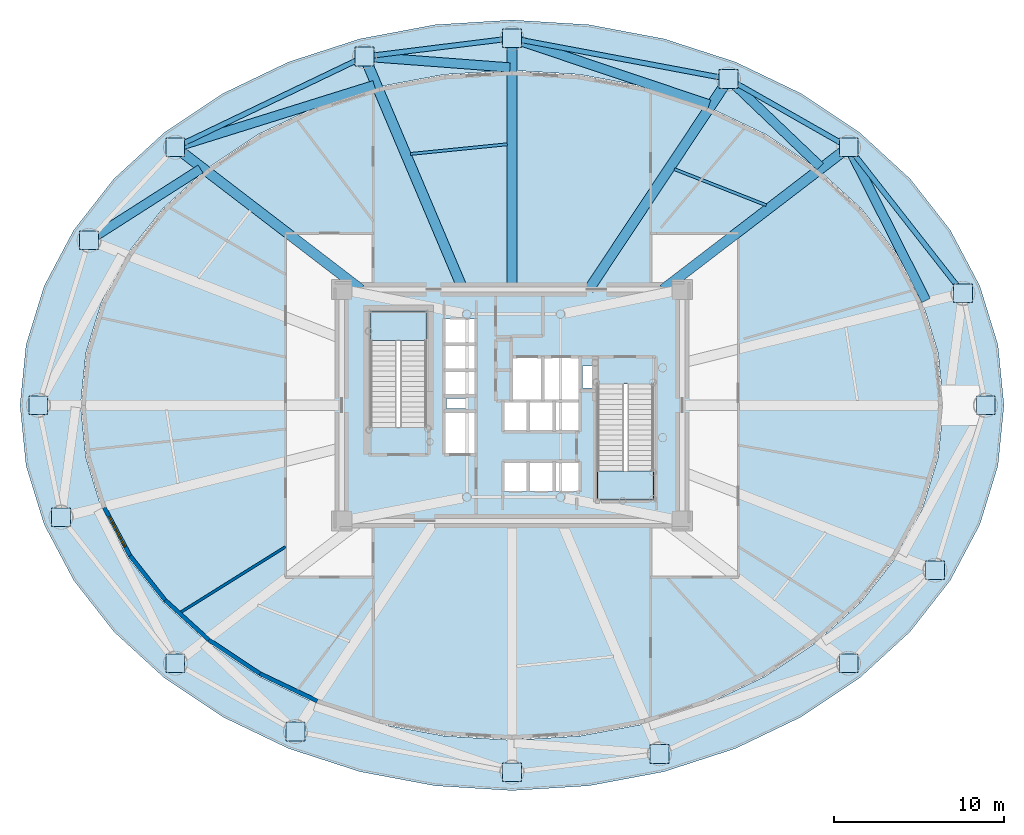
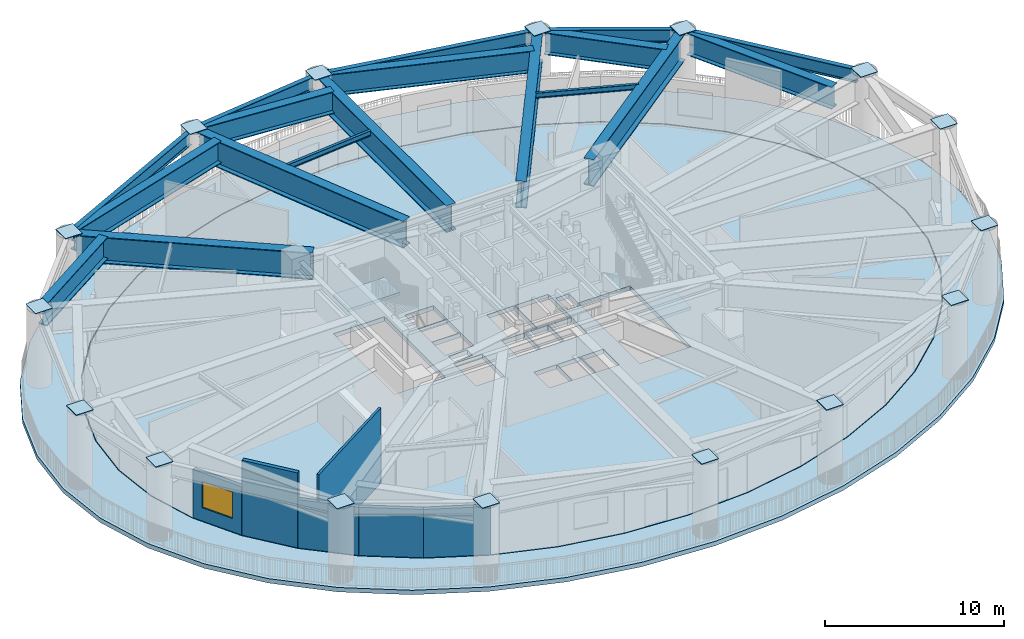
# One storey, part 4 of 15: 18 beams, 16 plates, 6 walls, 4 slabs, 1 window, 1 opening, 2 elements without a shape of their own.
"""IFC4 building model written with IfcOpenShell, lengths in metres."""

from ifc_helpers import new_model, si_unit, direction, frame, frame_2d, origin, origin_2d, place, context, subcontext, project, spatial, polyline, rectangle, i_section, outline, extrude, source, transform, mapped, material, layer, layer_set, material_profile, profile_set, type_object, element, fill, aggregate, save


model = new_model("IFC4")

# Units and contexts
model_context = context("Model", 3, precision=1e-05, world=origin(), true_north=direction((0.0, 1.0)))
body_context = subcontext(model_context, "Body", "Model", "MODEL_VIEW")
ifc_project = project(units=[si_unit("LENGTHUNIT", "METRE"), si_unit("AREAUNIT", "SQUARE_METRE"), si_unit("VOLUMEUNIT", "CUBIC_METRE"), si_unit("PLANEANGLEUNIT", "RADIAN"), si_unit("MASSUNIT", "GRAM", prefix="KILO")], contexts=[model_context])

# Site, building, storey
site_placement = place(None, origin())
site = spatial("IfcSite", under=ifc_project, at=site_placement, CompositionType="ELEMENT")
building_placement = place(site_placement, origin())
building = spatial("IfcBuilding", under=site, at=building_placement, Name="Linh Dai School and Residence Tower", CompositionType="ELEMENT")
storey_placement = place(building_placement, frame((0.0, 0.0, 145.949951171875)))
storey = spatial("IfcBuildingStorey", under=building, at=storey_placement, Name="L35", CompositionType="ELEMENT", Elevation=145.949951171875)

# Beams
ifc_material_1 = material(Name="Structural Steel S355JR", Category="steel")
ifc_material_profile_1 = material_profile(ifc_material_1, i_section(OverallWidth=0.300048828125, OverallDepth=0.89990234375, WebThickness=0.0185546875, FlangeThickness=0.034912109375, FilletRadius=0.030029296875, at=origin_2d()), Name="HEB 900")
ifc_profile_set_1 = profile_set([ifc_material_profile_1], Name="Structural Steel S355JR")
beam_type_1 = type_object("IfcBeamType", Name="BM-RG9", PredefinedType="BEAM", material=ifc_profile_set_1)
beam_1_placement = place(storey_placement, frame((62.233642578125, 33.91162109375, 4.650146484375), z_axis=(-0.616854830973, 0.787076945098, 0.0), x_axis=(-0.787076945098, -0.616854830973, 0.0)))
element("IfcBeam", 1, at=beam_1_placement, inside=storey, type_object=beam_type_1, Name="L35 Perimeter Elliptical Ring Beam 02", PredefinedType="BEAM", context=body_context, shape_type="SweptSolid", body=[
    extrude(i_section(OverallWidth=0.300048828125, OverallDepth=0.89990234375, WebThickness=0.0185546875, FlangeThickness=0.034912109375, FilletRadius=0.030029296875, at=origin_2d()), origin(), (0.0, 0.0, 1.0), 10.053955078125),
])
beam_2_placement = place(storey_placement, frame((55.407470703125, 42.363037109375, 4.650146484375), z_axis=(-0.86927031475, 0.494337050902, 0.0), x_axis=(-0.494337050902, -0.86927031475, 0.0)))
element("IfcBeam", 2, at=beam_2_placement, inside=storey, type_object=beam_type_1, Name="L35 Perimeter Elliptical Ring Beam 03", PredefinedType="BEAM", context=body_context, shape_type="SweptSolid", body=[
    extrude(i_section(OverallWidth=0.300048828125, OverallDepth=0.89990234375, WebThickness=0.0185546875, FlangeThickness=0.034912109375, FilletRadius=0.030029296875, at=origin_2d()), origin(), (0.0, 0.0, 1.0), 7.270751953125),
])
beam_3_placement = place(storey_placement, frame((48.30908203125, 46.24267578125, 4.650146484375), z_axis=(-0.982807507457, 0.184633158685, 0.0), x_axis=(-0.184633158685, -0.982807507457, 0.0)))
element("IfcBeam", 3, at=beam_3_placement, inside=storey, type_object=beam_type_1, Name="L35 Perimeter Elliptical Ring Beam 04", PredefinedType="BEAM", context=body_context, shape_type="SweptSolid", body=[
    extrude(i_section(OverallWidth=0.300048828125, OverallDepth=0.89990234375, WebThickness=0.0185546875, FlangeThickness=0.034912109375, FilletRadius=0.030029296875, at=origin_2d()), origin(), (0.0, 0.0, 1.0), 12.104248046875),
])
beam_4_placement = place(storey_placement, frame((35.583251953125, 48.50341796875, 4.650146484375), z_axis=(-0.992399234854, -0.123059979933, 0.0), x_axis=(0.123059979933, -0.992399234854, 0.0)))
element("IfcBeam", 4, at=beam_4_placement, inside=storey, type_object=beam_type_1, Name="L35 Perimeter Elliptical Ring Beam 05", PredefinedType="BEAM", context=body_context, shape_type="SweptSolid", body=[
    extrude(i_section(OverallWidth=0.300048828125, OverallDepth=0.89990234375, WebThickness=0.0185546875, FlangeThickness=0.034912109375, FilletRadius=0.030029296875, at=origin_2d()), origin(), (0.0, 0.0, 1.0), 7.89208984375),
])
beam_5_placement = place(storey_placement, frame((26.955810546875, 47.299072265625, 4.650146484375), z_axis=(-0.901715153312, -0.432330640005, 0.0), x_axis=(0.432330640005, -0.901715153312, 0.0)))
element("IfcBeam", 5, at=beam_5_placement, inside=storey, type_object=beam_type_1, Name="L35 Perimeter Elliptical Ring Beam 06", PredefinedType="BEAM", context=body_context, shape_type="SweptSolid", body=[
    extrude(i_section(OverallWidth=0.300048828125, OverallDepth=0.89990234375, WebThickness=0.0185546875, FlangeThickness=0.034912109375, FilletRadius=0.030029296875, at=origin_2d()), origin(), (0.0, 0.0, 1.0), 11.477783203125),
])
ifc_material_profile_2 = material_profile(ifc_material_1, i_section(OverallWidth=0.169921875, OverallDepth=0.360107421875, WebThickness=0.008056640625, FlangeThickness=0.0126953125, FilletRadius=0.01806640625, at=origin_2d()), Name="IPE 360")
ifc_profile_set_2 = profile_set([ifc_material_profile_2], Name="Structural Steel S355JR")
beam_type_2 = type_object("IfcBeamType", Name="BM-SB36", PredefinedType="BEAM", material=ifc_profile_set_2)
beam_6_placement = place(storey_placement, frame((50.93359375, 38.74853515625, 4.920166015625), z_axis=(-0.930749446939, 0.365657581655, 0.0), x_axis=(-0.365657581655, -0.930749446939, 0.0)))
element("IfcBeam", 6, at=beam_6_placement, inside=storey, type_object=beam_type_2, Name="L35 Secondary Circumferential Floor Beam 02", PredefinedType="BEAM", context=body_context, shape_type="SweptSolid", body=[
    extrude(i_section(OverallWidth=0.169921875, OverallDepth=0.360107421875, WebThickness=0.008056640625, FlangeThickness=0.0126953125, FilletRadius=0.01806640625, at=origin_2d()), origin(), (0.0, 0.0, 1.0), 5.800048828125),
])
beam_7_placement = place(storey_placement, frame((35.721435546875, 42.330078125, 4.920166015625), z_axis=(-0.995043119756, -0.099444405707, 0.0), x_axis=(0.099444405707, -0.995043119756, 0.0)))
element("IfcBeam", 7, at=beam_7_placement, inside=storey, type_object=beam_type_2, Name="L35 Secondary Circumferential Floor Beam 03", PredefinedType="BEAM", context=body_context, shape_type="SweptSolid", body=[
    extrude(i_section(OverallWidth=0.169921875, OverallDepth=0.360107421875, WebThickness=0.008056640625, FlangeThickness=0.0126953125, FilletRadius=0.01806640625, at=origin_2d()), origin(), (0.0, 0.0, 1.0), 5.70556640625),
])
ifc_material_profile_3 = material_profile(ifc_material_1, i_section(OverallWidth=0.550048828125, OverallDepth=1.5, WebThickness=0.028076171875, FlangeThickness=0.050048828125, at=origin_2d()), Name="PG 1500x550x28x50")
ifc_profile_set_3 = profile_set([ifc_material_profile_3], Name="Structural Steel S355JR")
beam_type_3 = type_object("IfcBeamType", Name="BM-TG15", PredefinedType="BEAM", material=ifc_profile_set_3)
beam_8_placement = place(storey_placement, frame((60.3203125, 33.16064453125, 4.35009765625), z_axis=(-0.451202753372, 0.892421467329, 0.0), x_axis=(-0.892421467329, -0.451202753372, 0.0)))
element("IfcBeam", 8, at=beam_8_placement, inside=storey, type_object=beam_type_3, Name="L35 Setback Diaphragm Transfer Girder 02", PredefinedType="BEAM", context=body_context, shape_type="SweptSolid", body=[
    extrude(i_section(OverallWidth=0.550048828125, OverallDepth=1.5, WebThickness=0.028076171875, FlangeThickness=0.050048828125, at=origin_2d()), origin(), (0.0, 0.0, 1.0), 9.658935546875),
])
beam_9_placement = place(storey_placement, frame((54.105712890625, 41.024658203125, 4.35009765625), z_axis=(-0.723271891006, 0.690563372675, 0.0), x_axis=(-0.690563372675, -0.723271891006, 0.0)))
element("IfcBeam", 9, at=beam_9_placement, inside=storey, type_object=beam_type_3, Name="L35 Setback Diaphragm Transfer Girder 03", PredefinedType="BEAM", context=body_context, shape_type="SweptSolid", body=[
    extrude(i_section(OverallWidth=0.550048828125, OverallDepth=1.5, WebThickness=0.028076171875, FlangeThickness=0.050048828125, at=origin_2d()), origin(), (0.0, 0.0, 1.0), 7.023681640625),
])
beam_10_placement = place(storey_placement, frame((47.591796875, 44.6689453125, 4.35009765625), z_axis=(-0.948142176824, 0.31784652354, 0.0), x_axis=(-0.31784652354, -0.948142176824, 0.0)))
element("IfcBeam", 10, at=beam_10_placement, inside=storey, type_object=beam_type_3, Name="L35 Setback Diaphragm Transfer Girder 04", PredefinedType="BEAM", context=body_context, shape_type="SweptSolid", body=[
    extrude(i_section(OverallWidth=0.550048828125, OverallDepth=1.5, WebThickness=0.028076171875, FlangeThickness=0.050048828125, at=origin_2d()), origin(), (0.0, 0.0, 1.0), 11.805908203125),
])
beam_11_placement = place(storey_placement, frame((35.88037109375, 46.8388671875, 4.35009765625), z_axis=(-0.997191876577, 0.074888993104, 0.0), x_axis=(-0.074888993104, -0.997191876577, 0.0)))
element("IfcBeam", 11, at=beam_11_placement, inside=storey, type_object=beam_type_3, Name="L35 Setback Diaphragm Transfer Girder 05", PredefinedType="BEAM", context=body_context, shape_type="SweptSolid", body=[
    extrude(i_section(OverallWidth=0.550048828125, OverallDepth=1.5, WebThickness=0.028076171875, FlangeThickness=0.050048828125, at=origin_2d()), origin(), (0.0, 0.0, 1.0), 8.150146484375),
])
beam_12_placement = place(storey_placement, frame((27.912109375, 45.8056640625, 4.35009765625), z_axis=(-0.954511942635, -0.298172687158, 0.0), x_axis=(0.298172687158, -0.954511942635, 0.0)))
element("IfcBeam", 12, at=beam_12_placement, inside=storey, type_object=beam_type_3, Name="L35 Setback Diaphragm Transfer Girder 06", PredefinedType="BEAM", context=body_context, shape_type="SweptSolid", body=[
    extrude(i_section(OverallWidth=0.550048828125, OverallDepth=1.5, WebThickness=0.028076171875, FlangeThickness=0.050048828125, at=origin_2d()), origin(), (0.0, 0.0, 1.0), 11.82177734375),
])
beam_13_placement = place(storey_placement, frame((17.706298828125, 40.877197265625, 4.35009765625), z_axis=(-0.842597166342, -0.538544348473, 0.0), x_axis=(0.538544348473, -0.842597166342, 0.0)))
element("IfcBeam", 13, at=beam_13_placement, inside=storey, type_object=beam_type_3, Name="L35 Setback Diaphragm Transfer Girder 07", PredefinedType="BEAM", context=body_context, shape_type="SweptSolid", body=[
    extrude(i_section(OverallWidth=0.550048828125, OverallDepth=1.5, WebThickness=0.028076171875, FlangeThickness=0.050048828125, at=origin_2d()), origin(), (0.0, 0.0, 1.0), 7.35986328125),
])
ifc_material_profile_4 = material_profile(ifc_material_1, i_section(OverallWidth=0.60009765625, OverallDepth=1.800048828125, WebThickness=0.030029296875, FlangeThickness=0.054931640625, at=origin_2d()), Name="PG 1800x600x30x55")
ifc_profile_set_4 = profile_set([ifc_material_profile_4], Name="Structural Steel S355JR")
beam_type_4 = type_object("IfcBeamType", Name="BM-TG18", PredefinedType="BEAM", material=ifc_profile_set_4)
beam_14_placement = place(storey_placement, frame((44.87158203125, 33.800048828125, 4.199951171875), z_axis=(0.793678660795, 0.608337228352, 0.0), x_axis=(-0.608337228352, 0.793678660795, 0.0)))
element("IfcBeam", 14, at=beam_14_placement, inside=storey, type_object=beam_type_4, Name="L35 Radial Setback Transfer Girder 03", PredefinedType="BEAM", context=body_context, shape_type="SweptSolid", body=[
    extrude(i_section(OverallWidth=0.60009765625, OverallDepth=1.800048828125, WebThickness=0.030029296875, FlangeThickness=0.054931640625, at=origin_2d()), origin(), (0.0, 0.0, 1.0), 13.314697265625),
])
beam_15_placement = place(storey_placement, frame((40.513916015625, 33.800048828125, 4.199951171875), z_axis=(0.553054392401, 0.833145148846, 0.0), x_axis=(-0.833145148846, 0.553054392401, 0.0)))
element("IfcBeam", 15, at=beam_15_placement, inside=storey, type_object=beam_type_4, Name="L35 Radial Setback Transfer Girder 04", PredefinedType="BEAM", context=body_context, shape_type="SweptSolid", body=[
    extrude(i_section(OverallWidth=0.60009765625, OverallDepth=1.800048828125, WebThickness=0.030029296875, FlangeThickness=0.054931640625, at=origin_2d()), origin(), (0.0, 0.0, 1.0), 14.42138671875),
])
beam_16_placement = place(storey_placement, frame((36.0, 33.800048828125, 4.199951171875), z_axis=(0.0, 1.0, 0.0), x_axis=(-1.0, 0.0, 0.0)))
element("IfcBeam", 16, at=beam_16_placement, inside=storey, type_object=beam_type_4, Name="L35 Radial Setback Transfer Girder 05", PredefinedType="BEAM", context=body_context, shape_type="SweptSolid", body=[
    extrude(i_section(OverallWidth=0.60009765625, OverallDepth=1.800048828125, WebThickness=0.030029296875, FlangeThickness=0.054931640625, at=origin_2d()), origin(), (0.0, 0.0, 1.0), 14.3349609375),
])
beam_17_placement = place(storey_placement, frame((33.122802734375, 33.800048828125, 4.199951171875), z_axis=(-0.389669233739, 0.920954878524, 0.0), x_axis=(-0.920954878524, -0.389669233739, 0.0)))
element("IfcBeam", 17, at=beam_17_placement, inside=storey, type_object=beam_type_4, Name="L35 Radial Setback Transfer Girder 06", PredefinedType="BEAM", context=body_context, shape_type="SweptSolid", body=[
    extrude(i_section(OverallWidth=0.60009765625, OverallDepth=1.800048828125, WebThickness=0.030029296875, FlangeThickness=0.054931640625, at=origin_2d()), origin(), (0.0, 0.0, 1.0), 14.434814453125),
])
beam_18_placement = place(storey_placement, frame((27.12841796875, 33.800048828125, 4.199951171875), z_axis=(-0.793678660795, 0.608337228352, 0.0), x_axis=(-0.608337228352, -0.793678660795, 0.0)))
element("IfcBeam", 18, at=beam_18_placement, inside=storey, type_object=beam_type_4, Name="L35 Radial Setback Transfer Girder 07", PredefinedType="BEAM", context=body_context, shape_type="SweptSolid", body=[
    extrude(i_section(OverallWidth=0.60009765625, OverallDepth=1.800048828125, WebThickness=0.030029296875, FlangeThickness=0.054931640625, at=origin_2d()), origin(), (0.0, 0.0, 1.0), 13.314697265625),
])

# Slabs
ifc_material_2 = material(Name="Concrete B45 (C35/45)", Category="concrete")
ifc_layer_1 = layer(ifc_material_2, 0.300048828125)
ifc_layer_set_1 = layer_set([ifc_layer_1], Name="Concrete B45 (C35/45)")
slab_type_1 = type_object("IfcSlabType", Name="SLB-DECK300", PredefinedType="FLOOR", material=ifc_layer_set_1)
slab_1_placement = place(storey_placement, frame((0.0, 0.0, -0.300048828125)))
element("IfcSlab", 19, at=slab_1_placement, inside=storey, type_object=slab_type_1, Name="L35 Planted Sky-Garden Refuge Terrace Slab", PredefinedType="FLOOR", context=body_context, shape_type="SweptSolid", body=[
    extrude(outline(polyline([(64.89990234375, 27.0), (64.544189453125, 30.5400390625), (63.485595703125, 33.9931640625), (61.75, 37.27392578125), (59.380615234375, 40.301513671875), (56.435302734375, 43.001708984375), (52.987060546875, 45.30810546875), (49.120361328125, 47.16357421875), (44.9306640625, 48.5224609375), (40.52099609375, 49.351318359375), (36.0, 49.6298828125), (31.47900390625, 49.351318359375), (27.0693359375, 48.5224609375), (22.879638671875, 47.16357421875), (19.012939453125, 45.30810546875), (15.564697265625, 43.001708984375), (12.619384765625, 40.301513671875), (10.25, 37.27392578125), (8.514404296875, 33.9931640625), (7.455810546875, 30.5400390625), (7.10009765625, 27.0), (7.455810546875, 23.4599609375), (8.514404296875, 20.0068359375), (10.25, 16.72607421875), (12.619384765625, 13.698486328125), (15.564697265625, 10.998291015625), (19.012939453125, 8.69189453125), (22.879638671875, 6.83642578125), (27.0693359375, 5.4775390625), (31.47900390625, 4.648681640625), (36.0, 4.3701171875), (40.52099609375, 4.648681640625), (44.9306640625, 5.4775390625), (49.120361328125, 6.83642578125), (52.987060546875, 8.69189453125), (56.435302734375, 10.998291015625), (59.380615234375, 13.698486328125), (61.75, 16.72607421875), (63.485595703125, 20.0068359375), (64.544189453125, 23.4599609375), (64.89990234375, 27.0)]), holes=[polyline([(61.340087890625, 27.0), (61.028076171875, 30.0771484375), (60.099853515625, 33.078369140625), (58.578125, 35.929931640625), (56.50048828125, 38.561767578125), (53.91796875, 40.90869140625), (50.89453125, 42.913330078125), (47.504150390625, 44.526123046875), (43.83056640625, 45.707275390625), (39.964111328125, 46.427734375), (36.0, 46.669921875), (32.035888671875, 46.427734375), (28.16943359375, 45.707275390625), (24.495849609375, 44.526123046875), (21.10546875, 42.913330078125), (18.08203125, 40.90869140625), (15.49951171875, 38.561767578125), (13.421875, 35.929931640625), (11.900146484375, 33.078369140625), (10.971923828125, 30.0771484375), (10.659912109375, 27.0), (10.971923828125, 23.9228515625), (11.900146484375, 20.921630859375), (13.421875, 18.070068359375), (15.49951171875, 15.438232421875), (18.08203125, 13.09130859375), (21.10546875, 11.086669921875), (24.495849609375, 9.473876953125), (28.16943359375, 8.292724609375), (32.035888671875, 7.572265625), (36.0, 7.330078125), (39.964111328125, 7.572265625), (43.83056640625, 8.292724609375), (47.504150390625, 9.473876953125), (50.89453125, 11.086669921875), (53.91796875, 13.09130859375), (56.50048828125, 15.438232421875), (58.578125, 18.070068359375), (60.099853515625, 20.921630859375), (61.028076171875, 23.9228515625), (61.340087890625, 27.0)])]), origin(), (0.0, 0.0, 1.0), 0.300048828125),
])
ifc_layer_2 = layer(ifc_material_2, 0.300048828125)
ifc_layer_set_2 = layer_set([ifc_layer_2], Name="Concrete B45 (C35/45)")
slab_type_2 = type_object("IfcSlabType", Name="SLB-FLR300", PredefinedType="FLOOR", material=ifc_layer_set_2)
slab_2_placement = place(storey_placement, frame((0.0, 0.0, -0.300048828125)))
element("IfcSlab", 20, at=slab_2_placement, inside=storey, type_object=slab_type_2, Name="L35 Refuge & Mechanical Plant Indoor Slab", PredefinedType="FLOOR", context=body_context, shape_type="SweptSolid", body=[
    extrude(outline(polyline([(61.300048828125, 27.0), (60.988525390625, 30.07080078125), (60.061767578125, 33.06591796875), (58.54248046875, 35.911865234375), (56.468017578125, 38.538330078125), (53.889892578125, 40.880615234375), (50.870849609375, 42.881103515625), (47.48583984375, 44.490478515625), (43.818115234375, 45.669189453125), (39.957763671875, 46.388427734375), (36.0, 46.6298828125), (32.042236328125, 46.388427734375), (28.181884765625, 45.669189453125), (24.51416015625, 44.490478515625), (21.129150390625, 42.881103515625), (18.110107421875, 40.880615234375), (15.531982421875, 38.538330078125), (13.45751953125, 35.911865234375), (11.938232421875, 33.06591796875), (11.011474609375, 30.07080078125), (10.699951171875, 27.0), (11.011474609375, 23.92919921875), (11.938232421875, 20.93408203125), (13.45751953125, 18.088134765625), (15.531982421875, 15.461669921875), (18.110107421875, 13.119384765625), (21.129150390625, 11.118896484375), (24.51416015625, 9.509521484375), (28.181884765625, 8.330810546875), (32.042236328125, 7.611572265625), (36.0, 7.3701171875), (39.957763671875, 7.611572265625), (43.818115234375, 8.330810546875), (47.48583984375, 9.509521484375), (50.870849609375, 11.118896484375), (53.889892578125, 13.119384765625), (56.468017578125, 15.461669921875), (58.54248046875, 18.088134765625), (60.061767578125, 20.93408203125), (60.988525390625, 23.92919921875), (61.300048828125, 27.0)]), holes=[polyline([(30.97998046875, 25.699951171875), (30.97998046875, 32.5), (27.679931640625, 32.5), (27.679931640625, 25.699951171875), (30.97998046875, 25.699951171875)]), polyline([(41.02001953125, 28.25), (41.02001953125, 21.449951171875), (44.320068359375, 21.449951171875), (44.320068359375, 28.25), (41.02001953125, 28.25)]), polyline([(35.97998046875, 27.280029296875), (37.77001953125, 27.280029296875), (37.77001953125, 29.820068359375), (35.97998046875, 29.820068359375), (35.97998046875, 27.280029296875)]), polyline([(32.030029296875, 24.1298828125), (33.8701171875, 24.1298828125), (33.8701171875, 26.6201171875), (32.030029296875, 26.6201171875), (32.030029296875, 24.1298828125)]), polyline([(37.830078125, 27.280029296875), (39.969970703125, 27.280029296875), (39.969970703125, 29.820068359375), (37.830078125, 29.820068359375), (37.830078125, 27.280029296875)]), polyline([(35.47998046875, 21.929931640625), (36.929931640625, 21.929931640625), (36.929931640625, 23.669921875), (35.47998046875, 23.669921875), (35.47998046875, 21.929931640625)]), polyline([(36.989990234375, 21.929931640625), (38.449951171875, 21.929931640625), (38.449951171875, 23.669921875), (36.989990234375, 23.669921875), (36.989990234375, 21.929931640625)]), polyline([(38.510009765625, 21.929931640625), (39.969970703125, 21.929931640625), (39.969970703125, 23.669921875), (38.510009765625, 23.669921875), (38.510009765625, 21.929931640625)]), polyline([(32.030029296875, 27.580078125), (33.8701171875, 27.580078125), (33.8701171875, 29.030029296875), (32.030029296875, 29.030029296875), (32.030029296875, 27.580078125)]), polyline([(32.030029296875, 29.090087890625), (33.8701171875, 29.090087890625), (33.8701171875, 30.550048828125), (32.030029296875, 30.550048828125), (32.030029296875, 29.090087890625)]), polyline([(32.030029296875, 30.610107421875), (33.8701171875, 30.610107421875), (33.8701171875, 32.070068359375), (32.030029296875, 32.070068359375), (32.030029296875, 30.610107421875)]), polyline([(35.47998046875, 25.47998046875), (36.929931640625, 25.47998046875), (36.929931640625, 27.219970703125), (35.47998046875, 27.219970703125), (35.47998046875, 25.47998046875)]), polyline([(36.989990234375, 25.47998046875), (38.449951171875, 25.47998046875), (38.449951171875, 27.219970703125), (36.989990234375, 27.219970703125), (36.989990234375, 25.47998046875)]), polyline([(38.510009765625, 25.47998046875), (39.969970703125, 25.47998046875), (39.969970703125, 27.219970703125), (38.510009765625, 27.219970703125), (38.510009765625, 25.47998046875)]), polyline([(40.14990234375, 28.0), (40.14990234375, 29.300048828125), (41.0, 29.300048828125), (41.0, 28.280029296875), (40.989990234375, 28.280029296875), (40.989990234375, 28.0), (40.14990234375, 28.0)]), polyline([(32.14990234375, 26.800048828125), (33.35009765625, 26.800048828125), (33.35009765625, 27.39990234375), (32.14990234375, 27.39990234375), (32.14990234375, 26.800048828125)])]), origin(), (0.0, 0.0, 1.0), 0.300048828125),
])

# Stair, slab
stair_type = type_object("IfcStairType", Name="ST-DOG-1550-R1500", PredefinedType="HALF_TURN_STAIR", material=ifc_material_2)
stair_1_placement = place(storey_placement, origin())
stair_1 = element("IfcStair", 21, at=stair_1_placement, inside=storey, type_object=stair_type, Name="L35 Core Smokeproof Exit Stair ST1", PredefinedType="HALF_TURN_STAIR")
ifc_layer_3 = layer(ifc_material_2, 0.199951171875)
ifc_layer_set_3 = layer_set([ifc_layer_3], Name="Concrete B45 (C35/45)")
slab_type_3 = type_object("IfcSlabType", Name="SLB-ST-LANDING-200", PredefinedType="LANDING", material=ifc_layer_set_3)
slab_3_placement = place(storey_placement, frame((0.0, 0.0, 2.5)))
slab_3 = element("IfcSlab", 22, at=slab_3_placement, type_object=slab_type_3, Name="ST1 landing 1", PredefinedType="LANDING", context=body_context, shape_type="SweptSolid", body=[
    extrude(outline(polyline([(30.97998046875, 30.800048828125), (30.97998046875, 32.5), (27.679931640625, 32.5), (27.679931640625, 30.800048828125), (30.97998046875, 30.800048828125)])), origin(), (0.0, 0.0, 1.0), 0.199951171875),
])
aggregate(stair_1, [slab_3])

stair_2_placement = place(storey_placement, origin())
stair_2 = element("IfcStair", 23, at=stair_2_placement, inside=storey, type_object=stair_type, Name="L35 Core Smokeproof Exit Stair ST2", PredefinedType="HALF_TURN_STAIR")
slab_4_placement = place(storey_placement, frame((0.0, 0.0, 2.5)))
slab_4 = element("IfcSlab", 24, at=slab_4_placement, type_object=slab_type_3, Name="ST2 landing 1", PredefinedType="LANDING", context=body_context, shape_type="SweptSolid", body=[
    extrude(outline(polyline([(41.02001953125, 23.14990234375), (41.02001953125, 21.449951171875), (44.320068359375, 21.449951171875), (44.320068359375, 23.14990234375), (41.02001953125, 23.14990234375)])), origin(), (0.0, 0.0, 1.0), 0.199951171875),
])
aggregate(stair_2, [slab_4])

# Plates
ifc_layer_4 = layer(ifc_material_1, 0.0400390625)
ifc_layer_set_4 = layer_set([ifc_layer_4], Name="Structural Steel S355JR")
plate_type = type_object("IfcPlateType", Name="PLT-GP1", PredefinedType="USERDEFINED", material=ifc_layer_set_4)
shared_shape_1 = source(origin(), body_context, "Body", "SweptSolid", [
    extrude(rectangle(XDim=1.10009765625, YDim=1.10009765625, at=origin_2d()), origin(), (0.0, 0.0, 1.0), 0.0400390625),
])
for number, where, z_axis, x_axis, name in (
    (25, (63.824951171875, 27.0, 5.10009765625), (0.0, 0.0, 1.0), (1.0, 0.0, 0.0), "L35 MC01 Column Cap Plate"),
    (26, (62.49267578125, 33.5810546875, 5.10009765625), (0.0, 0.0, 1.0), (1.0, 0.0, 0.0), "L35 MC02 Column Cap Plate"),
    (27, (55.772705078125, 42.155517578125, 5.10009765625), (0.0, 0.0, 1.0), (1.0, 0.0, 0.0), "L35 MC03 Column Cap Plate"),
    (28, (48.721923828125, 46.1650390625, 5.10009765625), (0.0, 0.0, 1.0), (1.0, 0.0, 0.0), "L35 MC04 Column Cap Plate"),
    (29, (36.0, 48.554931640625, 5.10009765625), (0.0, 0.0, 1.0), (1.0, 0.0, 0.0), "L35 MC05 Column Cap Plate"),
    (30, (27.33447265625, 47.480712890625, 5.10009765625), (0.0, 0.0, 1.0), (1.0, 0.0, 0.0), "L35 MC06 Column Cap Plate"),
    (31, (16.227294921875, 42.155517578125, 5.10009765625), (0.0, 0.0, 1.0), (1.0, 0.0, 0.0), "L35 MC07 Column Cap Plate"),
    (32, (11.15087890625, 36.6875, 5.10009765625), (0.0, 0.0, 1.0), (1.0, 0.0, 0.0), "L35 MC08 Column Cap Plate"),
    (33, (8.175048828125, 27.0, 5.10009765625), (0.0, 0.0, 1.0), (1.0, 0.0, 0.0), "L35 MC09 Column Cap Plate"),
    (34, (9.50732421875, 20.4189453125, 5.10009765625), (0.0, 0.0, 1.0), (1.0, 0.0, 0.0), "L35 MC10 Column Cap Plate"),
    (35, (16.227294921875, 11.844482421875, 5.10009765625), (0.0, 0.0, 1.0), (1.0, 0.0, 0.0), "L35 MC11 Column Cap Plate"),
    (36, (23.278076171875, 7.8349609375, 5.10009765625), (0.0, 0.0, 1.0), (1.0, 0.0, 0.0), "L35 MC12 Column Cap Plate"),
    (37, (36.0, 5.445068359375, 5.10009765625), (0.0, 0.0, 1.0), (1.0, 0.0, 0.0), "L35 MC13 Column Cap Plate"),
    (38, (44.66552734375, 6.519287109375, 5.10009765625), (0.0, 0.0, 1.0), (1.0, 0.0, 0.0), "L35 MC14 Column Cap Plate"),
    (39, (55.772705078125, 11.844482421875, 5.10009765625), (0.0, 0.0, 1.0), (1.0, 0.0, 0.0), "L35 MC15 Column Cap Plate"),
    (40, (60.84912109375, 17.3125, 5.10009765625), (0.0, 0.0, 1.0), (1.0, 0.0, 0.0), "L35 MC16 Column Cap Plate"),
):
    element("IfcPlate", number, at=place(storey_placement, frame(where, z_axis=z_axis, x_axis=x_axis)), inside=storey, type_object=plate_type, Name=name, ObjectType="GUSSET PLATE", PredefinedType="USERDEFINED", context=body_context, shape_type="MappedRepresentation", body=[
        mapped(shared_shape_1, transform((0.0, 0.0, 0.0), x_axis=(1.0, 0.0, 0.0), y_axis=(0.0, 1.0, 0.0), z_axis=(0.0, 0.0, 1.0), scale=1.0)),
    ])

# Wall, opening, window
ifc_material_3 = material(Name="Precast Concrete B45 (C35/45)", Category="concrete")
ifc_layer_5 = layer(ifc_material_3, 0.239990234375)
ifc_layer_set_5 = layer_set([ifc_layer_5], Name="Precast Concrete B45 (C35/45)")
wall_type_1 = type_object("IfcWallType", Name="EW-TC-240", PredefinedType="SOLIDWALL", material=ifc_layer_set_5)
wall_1_placement = place(storey_placement, frame((13.56201171875, 18.15673828125, 0.0), z_axis=(0.0, 0.0, 1.0), x_axis=(-0.470987769323, 0.882139740148, 0.0)))
wall_1 = element("IfcWall", 41, at=wall_1_placement, inside=storey, type_object=wall_type_1, Name="L35 Terracotta Exterior Wall 23", PredefinedType="SOLIDWALL", context=body_context, shape_type="SweptSolid", body=[
    extrude(rectangle(XDim=3.202880859375, YDim=0.239990234375, at=frame_2d((1.6015625, 0.0))), origin(), (0.0, 0.0, 1.0), 3.28515625),
])
opening_placement = place(wall_1_placement, frame((0.6015625, 0.0, 0.89990234375)))
opening = element("IfcOpeningElement", 42, at=opening_placement, cuts=wall_1, Name="Opening W5", PredefinedType="OPENING", context=body_context, shape_type="SweptSolid", body=[
    extrude(rectangle(XDim=2.0, YDim=1.800048828125, at=origin_2d()), frame((1.0, 0.1298828125, 0.89990234375), z_axis=(0.0, -1.0, 0.0), x_axis=(1.0, 0.0, 0.0)), (0.0, 0.0, 1.0), 0.260009765625),
])
ifc_material_4 = material(Name="Anodised Aluminium Weather Louvre", Category="aluminium")
window_type = type_object("IfcWindowType", Name="WN-LV-2000x1800", PartitioningType="SINGLE_PANEL", PredefinedType="USERDEFINED", material=ifc_material_4)
shared_shape_2 = source(origin(), body_context, "Body", "SweptSolid", [
    extrude(rectangle(XDim=2.0, YDim=1.800048828125, at=origin_2d()), frame((1.0, 0.030029296875, 0.89990234375), z_axis=(0.0, -1.0, 0.0), x_axis=(1.0, 0.0, 0.0)), (0.0, 0.0, 1.0), 0.06005859375),
])
window_placement = place(opening_placement, origin())
window = element("IfcWindow", 43, at=window_placement, inside=storey, type_object=window_type, Name="L35 Plant Weather Louvre 23", ObjectType="LOUVRE VENT", OverallHeight=1.800048828125, OverallWidth=2.0, PartitioningType="SINGLE_PANEL", PredefinedType="USERDEFINED", context=body_context, shape_type="MappedRepresentation", body=[
    mapped(shared_shape_2, transform((0.0, 0.0, 0.0), x_axis=(1.0, 0.0, 0.0), y_axis=(0.0, 1.0, 0.0), z_axis=(0.0, 0.0, 1.0), scale=1.0)),
])
fill(opening, window)

# Walls
wall_2_placement = place(storey_placement, frame((15.623046875, 15.547119140625, 0.0), z_axis=(0.0, 0.0, 1.0), x_axis=(-0.619794245312, 0.784764355382, 0.0)))
element("IfcWall", 44, at=wall_2_placement, inside=storey, type_object=wall_type_1, Name="L35 Terracotta Exterior Wall 24", PredefinedType="SOLIDWALL", context=body_context, shape_type="SweptSolid", body=[
    extrude(rectangle(XDim=3.325439453125, YDim=0.239990234375, at=frame_2d((1.66259765625, 0.0))), origin(), (0.0, 0.0, 1.0), 5.10009765625),
])
wall_3_placement = place(storey_placement, frame((18.186767578125, 13.21826171875, 0.0), z_axis=(0.0, 0.0, 1.0), x_axis=(-0.740198369861, 0.672388558242, 0.0)))
element("IfcWall", 45, at=wall_3_placement, inside=storey, type_object=wall_type_1, Name="L35 Terracotta Exterior Wall 25", PredefinedType="SOLIDWALL", context=body_context, shape_type="SweptSolid", body=[
    extrude(rectangle(XDim=3.463623046875, YDim=0.239990234375, at=frame_2d((1.73193359375, 0.0))), origin(), (0.0, 0.0, 1.0), 3.28515625),
])
wall_4_placement = place(storey_placement, frame((21.1904296875, 11.227783203125, 0.0), z_axis=(0.0, 0.0, 1.0), x_axis=(-0.83357940612, 0.552399650337, 0.0)))
element("IfcWall", 46, at=wall_4_placement, inside=storey, type_object=wall_type_1, Name="L35 Terracotta Exterior Wall 26", PredefinedType="SOLIDWALL", context=body_context, shape_type="SweptSolid", body=[
    extrude(rectangle(XDim=3.603271484375, YDim=0.239990234375, at=frame_2d((1.8017578125, 0.0))), origin(), (0.0, 0.0, 1.0), 3.28515625),
])
wall_5_placement = place(storey_placement, frame((24.56005859375, 9.625732421875, 0.0), z_axis=(0.0, 0.0, 1.0), x_axis=(-0.903124021388, 0.429379787592, 0.0)))
element("IfcWall", 47, at=wall_5_placement, inside=storey, type_object=wall_type_1, Name="L35 Terracotta Exterior Wall 27", PredefinedType="SOLIDWALL", context=body_context, shape_type="SweptSolid", body=[
    extrude(rectangle(XDim=3.731201171875, YDim=0.239990234375, at=frame_2d((1.86572265625, 0.0))), origin(), (0.0, 0.0, 1.0), 3.28515625),
])
ifc_material_5 = material(Name="Autoclaved Aerated Concrete Blockwork", Category="masonry")
ifc_layer_6 = layer(ifc_material_5, 0.14990234375)
ifc_layer_set_6 = layer_set([ifc_layer_6], Name="Autoclaved Aerated Concrete Blockwork")
wall_type_2 = type_object("IfcWallType", Name="IW-SCH-150-EI60", PredefinedType="PARTITIONING", material=ifc_layer_set_6)
wall_6_placement = place(storey_placement, frame((16.45361328125, 14.7861328125, 0.0), z_axis=(0.0, 0.0, 1.0), x_axis=(0.848052302271, 0.529912532984, 0.0)))
element("IfcWall", 48, at=wall_6_placement, inside=storey, type_object=wall_type_2, Name="L35 Interior Partition Wall 004", PredefinedType="PARTITIONING", context=body_context, shape_type="SweptSolid", body=[
    extrude(rectangle(XDim=7.365478515625, YDim=0.14990234375, at=frame_2d((3.6826171875, 0.0))), origin(), (0.0, 0.0, 1.0), 5.10009765625),
])

save(model, "model.ifc")
